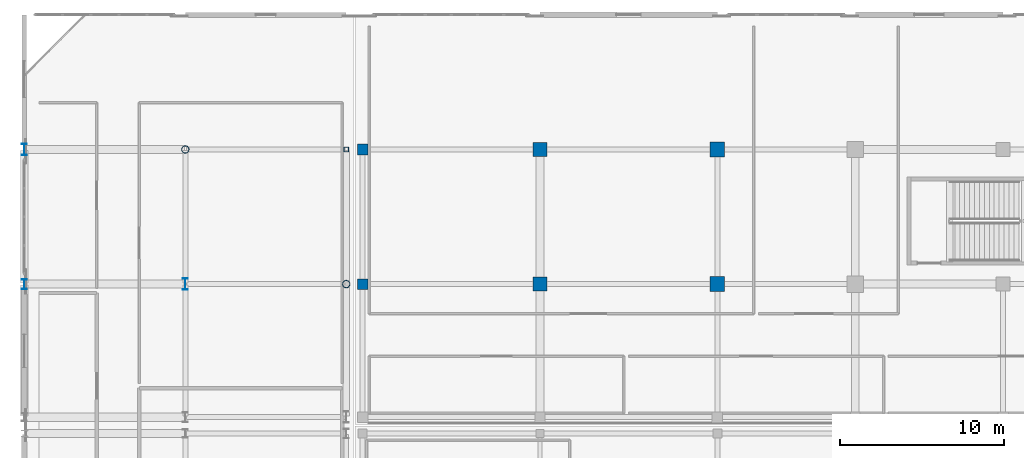
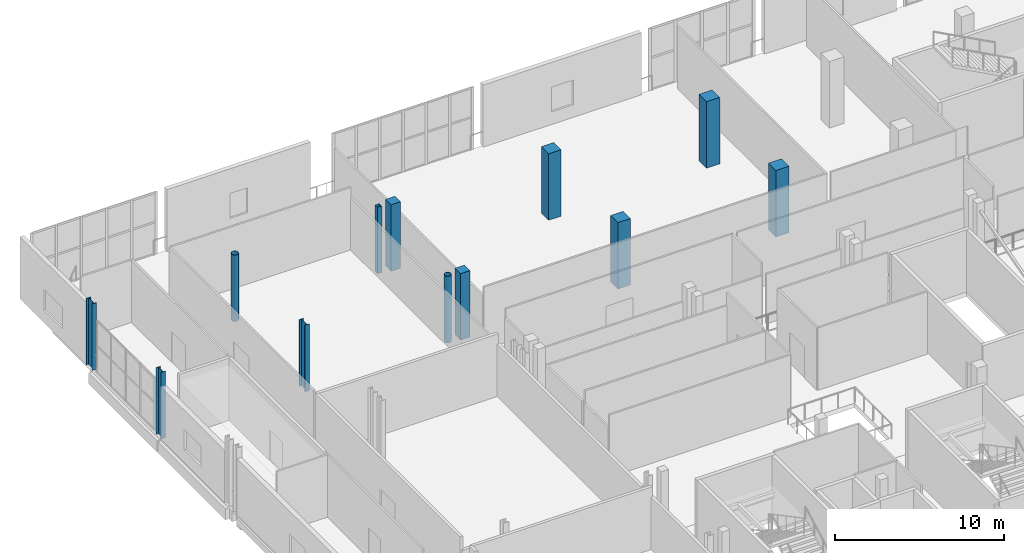
# One storey, part 10 of 129: 12 columns.
"""IFC4 building model written with IfcOpenShell, lengths in metres."""

from ifc_helpers import new_model, si_unit, direction, frame, origin, origin_2d, place, context, subcontext, project, spatial, rectangle, hollow_rectangle, hollow_circle, i_section, extrude, material, material_profile, profile_set, type_object, element, save


model = new_model("IFC4")

# Units and contexts
model_context = context("Model", 3, precision=1e-05, world=origin(), true_north=direction((0.0, 1.0)))
body_context = subcontext(model_context, "Body", "Model", "MODEL_VIEW")
ifc_project = project(units=[si_unit("LENGTHUNIT", "METRE"), si_unit("AREAUNIT", "SQUARE_METRE"), si_unit("VOLUMEUNIT", "CUBIC_METRE"), si_unit("PLANEANGLEUNIT", "RADIAN"), si_unit("MASSUNIT", "GRAM", prefix="KILO")], contexts=[model_context])

# Site, building, storey
site_placement = place(None, origin())
site = spatial("IfcSite", under=ifc_project, at=site_placement, CompositionType="ELEMENT")
building_placement = place(site_placement, origin())
building = spatial("IfcBuilding", under=site, at=building_placement, Name="Koshinbarg Plaza Stadium", CompositionType="ELEMENT")
storey_placement = place(building_placement, frame((0.0, 0.0, 5.39990234375)))
storey = spatial("IfcBuildingStorey", under=building, at=storey_placement, Name="L01", CompositionType="ELEMENT", Elevation=5.39990234375)

# Columns
ifc_material_1 = material(Name="Concrete C40/50", Category="concrete")
ifc_material_profile_1 = material_profile(ifc_material_1, rectangle(XDim=0.64990234375, YDim=0.64990234375, at=origin_2d()), Name="RC 650x650")
ifc_profile_set_1 = profile_set([ifc_material_profile_1], Name="Concrete C40/50")
column_type_1 = type_object("IfcColumnType", Name="COL-RC-05", PredefinedType="COLUMN", material=ifc_profile_set_1)
for number, where, z_axis, x_axis, name in (
    (1, (24.60009765625, 135.60009765625, 0.0), (0.0, 0.0, 1.0), (1.0, 0.0, 0.0), "L01 column 5/T"),
    (2, (24.60009765625, 143.800048828125, 0.0), (0.0, 0.0, 1.0), (1.0, 0.0, 0.0), "L01 column 5/U"),
):
    element("IfcColumn", number, at=place(storey_placement, frame(where, z_axis=z_axis, x_axis=x_axis)), inside=storey, type_object=column_type_1, Name=name, PredefinedType="COLUMN", context=body_context, shape_type="SweptSolid", body=[
        extrude(rectangle(XDim=0.64990234375, YDim=0.64990234375, at=origin_2d()), origin(), (0.0, 0.0, 1.0), 4.800048828125),
    ])
ifc_material_profile_2 = material_profile(ifc_material_1, rectangle(XDim=0.85009765625, YDim=0.85009765625, at=origin_2d()), Name="RC 850x850")
ifc_profile_set_2 = profile_set([ifc_material_profile_2], Name="Concrete C40/50")
column_type_2 = type_object("IfcColumnType", Name="COL-RC-09", PredefinedType="COLUMN", material=ifc_profile_set_2)
for number, where, z_axis, x_axis, name in (
    (3, (35.39990234375, 135.60009765625, 0.0), (0.0, 0.0, 1.0), (1.0, 0.0, 0.0), "L01 column 6/T"),
    (4, (35.39990234375, 143.800048828125, 0.0), (0.0, 0.0, 1.0), (1.0, 0.0, 0.0), "L01 column 6/U"),
):
    element("IfcColumn", number, at=place(storey_placement, frame(where, z_axis=z_axis, x_axis=x_axis)), inside=storey, type_object=column_type_2, Name=name, PredefinedType="COLUMN", context=body_context, shape_type="SweptSolid", body=[
        extrude(rectangle(XDim=0.85009765625, YDim=0.85009765625, at=origin_2d()), origin(), (0.0, 0.0, 1.0), 4.800048828125),
    ])
ifc_material_profile_3 = material_profile(ifc_material_1, rectangle(XDim=0.89990234375, YDim=0.89990234375, at=origin_2d()), Name="RC 900x900")
ifc_profile_set_3 = profile_set([ifc_material_profile_3], Name="Concrete C40/50")
column_type_3 = type_object("IfcColumnType", Name="COL-RC-10", PredefinedType="COLUMN", material=ifc_profile_set_3)
for number, where, z_axis, x_axis, name in (
    (5, (46.199951171875, 135.60009765625, 0.0), (0.0, 0.0, 1.0), (1.0, 0.0, 0.0), "L01 column 7/T"),
    (6, (46.199951171875, 143.800048828125, 0.0), (0.0, 0.0, 1.0), (1.0, 0.0, 0.0), "L01 column 7/U"),
):
    element("IfcColumn", number, at=place(storey_placement, frame(where, z_axis=z_axis, x_axis=x_axis)), inside=storey, type_object=column_type_3, Name=name, PredefinedType="COLUMN", context=body_context, shape_type="SweptSolid", body=[
        extrude(rectangle(XDim=0.89990234375, YDim=0.89990234375, at=origin_2d()), origin(), (0.0, 0.0, 1.0), 4.800048828125),
    ])
ifc_material_2 = material(Name="Steel S355", Category="steel")
ifc_material_profile_4 = material_profile(ifc_material_2, i_section(OverallWidth=0.300048828125, OverallDepth=0.60009765625, WebThickness=0.015380859375, FlangeThickness=0.030029296875, at=origin_2d()), Name="HEB 600")
ifc_profile_set_4 = profile_set([ifc_material_profile_4], Name="Steel S355")
column_type_4 = type_object("IfcColumnType", Name="COL-STL-03", PredefinedType="COLUMN", material=ifc_profile_set_4)
column_1_placement = place(storey_placement, frame((4.0, 135.60009765625, 0.0), z_axis=(0.0, 0.0, 1.0), x_axis=(1.0, 0.0, 0.0)))
element("IfcColumn", 7, at=column_1_placement, inside=storey, type_object=column_type_4, Name="L01 column 2/T", PredefinedType="COLUMN", context=body_context, shape_type="SweptSolid", body=[
    extrude(i_section(OverallWidth=0.300048828125, OverallDepth=0.60009765625, WebThickness=0.015380859375, FlangeThickness=0.030029296875, at=origin_2d()), origin(), (0.0, 0.0, 1.0), 4.800048828125),
])
ifc_material_profile_5 = material_profile(ifc_material_2, i_section(OverallWidth=0.300048828125, OverallDepth=0.699951171875, WebThickness=0.01708984375, FlangeThickness=0.031982421875, at=origin_2d()), Name="HEB 700")
ifc_profile_set_5 = profile_set([ifc_material_profile_5], Name="Steel S355")
column_type_5 = type_object("IfcColumnType", Name="COL-STL-04", PredefinedType="COLUMN", material=ifc_profile_set_5)
for number, where, z_axis, x_axis, name in (
    (8, (4.0, 143.800048828125, 0.0), (0.0, 0.0, 1.0), (1.0, 0.0, 0.0), "L01 column 2/U"),
    (9, (13.800048828125, 135.60009765625, 0.0), (0.0, 0.0, 1.0), (1.0, 0.0, 0.0), "L01 column 3/T"),
):
    element("IfcColumn", number, at=place(storey_placement, frame(where, z_axis=z_axis, x_axis=x_axis)), inside=storey, type_object=column_type_5, Name=name, PredefinedType="COLUMN", context=body_context, shape_type="SweptSolid", body=[
        extrude(i_section(OverallWidth=0.300048828125, OverallDepth=0.699951171875, WebThickness=0.01708984375, FlangeThickness=0.031982421875, at=origin_2d()), origin(), (0.0, 0.0, 1.0), 4.800048828125),
    ])
ifc_material_profile_6 = material_profile(ifc_material_2, hollow_circle(Radius=0.228515625, WallThickness=0.02001953125, at=origin_2d()), Name="CHS 457x20")
ifc_profile_set_6 = profile_set([ifc_material_profile_6], Name="Steel S355")
column_type_6 = type_object("IfcColumnType", Name="COL-STL-05", PredefinedType="COLUMN", material=ifc_profile_set_6)
for number, where, z_axis, x_axis, name in (
    (10, (13.800048828125, 143.800048828125, 0.0), (0.0, 0.0, 1.0), (1.0, 0.0, 0.0), "L01 column 3/U"),
    (11, (23.60009765625, 135.60009765625, 0.0), (0.0, 0.0, 1.0), (1.0, 0.0, 0.0), "L01 column 4/T"),
):
    element("IfcColumn", number, at=place(storey_placement, frame(where, z_axis=z_axis, x_axis=x_axis)), inside=storey, type_object=column_type_6, Name=name, PredefinedType="COLUMN", context=body_context, shape_type="SweptSolid", body=[
        extrude(hollow_circle(Radius=0.228515625, WallThickness=0.02001953125, at=origin_2d()), origin(), (0.0, 0.0, 1.0), 4.800048828125),
    ])
ifc_material_profile_7 = material_profile(ifc_material_2, hollow_rectangle(XDim=0.300048828125, YDim=0.300048828125, WallThickness=0.01611328125, at=origin_2d()), Name="SHS 300x300x16")
ifc_profile_set_7 = profile_set([ifc_material_profile_7], Name="Steel S355")
column_type_7 = type_object("IfcColumnType", Name="COL-STL-06", PredefinedType="COLUMN", material=ifc_profile_set_7)
column_2_placement = place(storey_placement, frame((23.60009765625, 143.800048828125, 0.0), z_axis=(0.0, 0.0, 1.0), x_axis=(1.0, 0.0, 0.0)))
element("IfcColumn", 12, at=column_2_placement, inside=storey, type_object=column_type_7, Name="L01 column 4/U", PredefinedType="COLUMN", context=body_context, shape_type="SweptSolid", body=[
    extrude(hollow_rectangle(XDim=0.300048828125, YDim=0.300048828125, WallThickness=0.01611328125, at=origin_2d()), origin(), (0.0, 0.0, 1.0), 4.800048828125),
])

save(model, "model.ifc")
